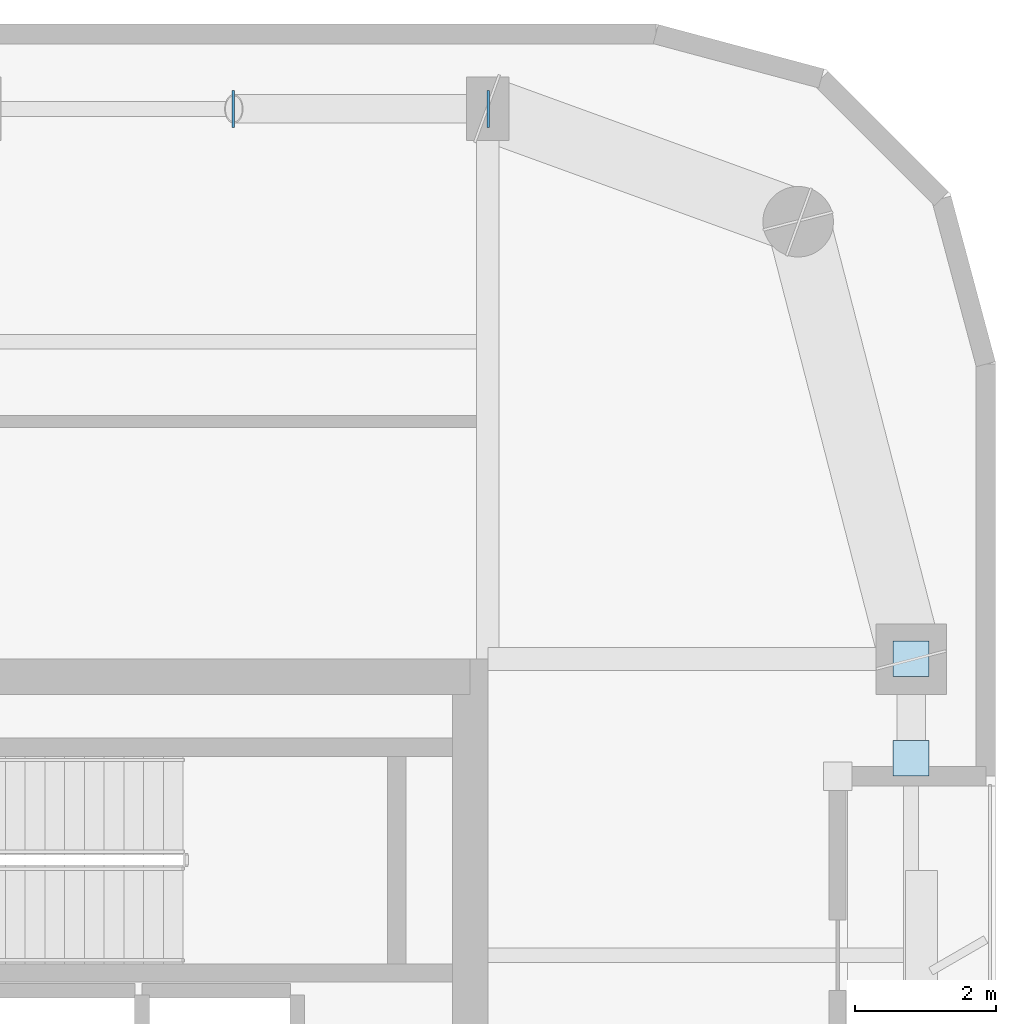
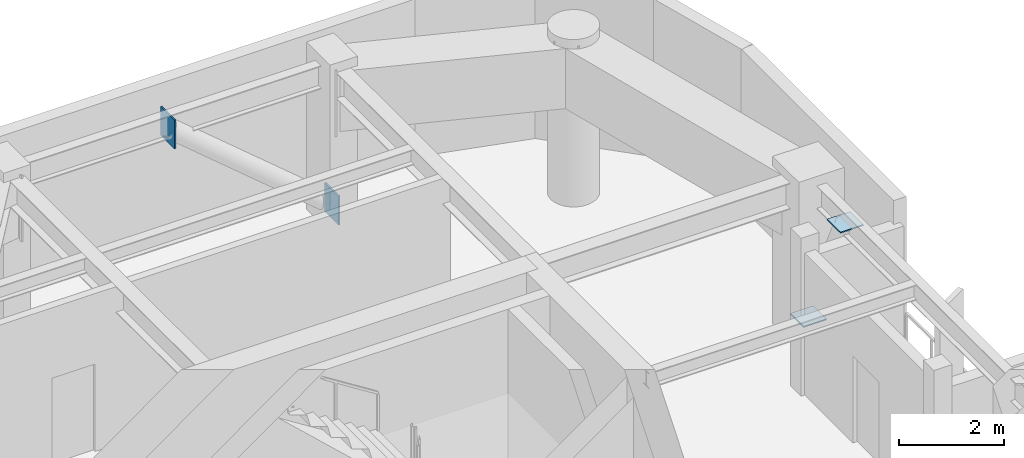
# One storey, part 9 of 15: 4 plates.
"""IFC4 building model written with IfcOpenShell, lengths in metres."""

from ifc_helpers import new_model, si_unit, direction, frame, origin, origin_2d, place, context, subcontext, project, spatial, rectangle, extrude, material, layer, layer_set, type_object, element, save


model = new_model("IFC4")

# Units and contexts
model_context = context("Model", 3, precision=1e-05, world=origin(), true_north=direction((0.0, 1.0)))
body_context = subcontext(model_context, "Body", "Model", "MODEL_VIEW")
ifc_project = project(units=[si_unit("LENGTHUNIT", "METRE"), si_unit("AREAUNIT", "SQUARE_METRE"), si_unit("VOLUMEUNIT", "CUBIC_METRE"), si_unit("PLANEANGLEUNIT", "RADIAN"), si_unit("MASSUNIT", "GRAM", prefix="KILO")], contexts=[model_context])

# Site, building, storey
site_placement = place(None, origin())
site = spatial("IfcSite", under=ifc_project, at=site_placement, CompositionType="ELEMENT")
building_placement = place(site_placement, origin())
building = spatial("IfcBuilding", under=site, at=building_placement, Name="Kiyonajd Concourse Tower", CompositionType="ELEMENT")
storey_placement = place(building_placement, frame((0.0, 0.0, 286.199951171875)))
storey = spatial("IfcBuildingStorey", under=building, at=storey_placement, Name="L72", CompositionType="ELEMENT", Elevation=286.199951171875)

# Plates
ifc_material = material(Name="Steel ASTM A572 Grade 50", Category="steel")
ifc_layer = layer(ifc_material, 0.028076171875)
ifc_layer_set = layer_set([ifc_layer], Name="Steel ASTM A572 Grade 50")
plate_type = type_object("IfcPlateType", Name="PL-CAP-450", PredefinedType="USERDEFINED", material=ifc_layer_set)
for number, where, z_axis, x_axis, name in (
    (1, (63.6083984375, 52.199951171875, -0.04248046875), (0.0, 0.0, 1.0), (1.0, 0.0, 0.0), "L72 Hollow Brace End Cap Plate PBN"),
    (2, (59.99169921875, 52.199951171875, 3.001708984375), (0.0, 0.0, 1.0), (-1.0, 0.0, 0.0), "L72 Hollow Brace Top Cap Plate PBN"),
):
    element("IfcPlate", number, at=place(storey_placement, frame(where, z_axis=z_axis, x_axis=x_axis)), inside=storey, type_object=plate_type, Name=name, ObjectType="CAP PLATE", PredefinedType="USERDEFINED", context=body_context, shape_type="SweptSolid", body=[
        extrude(rectangle(XDim=0.035888671875, YDim=0.52587890625, at=origin_2d()), origin(), (0.0, 0.0, 1.0), 0.6708984375),
    ])
for number, where, z_axis, x_axis, name in (
    (3, (69.60009765625, 44.404541015625, 0.27587890625), (0.0, 0.0, 1.0), (1.0, 0.0, 0.0), "L72 Hollow Brace End Cap Plate PBE"),
    (4, (69.60009765625, 42.995361328125, 3.326171875), (0.0, 0.0, 1.0), (1.0, 0.0, 0.0), "L72 Hollow Brace Top Cap Plate PBE"),
):
    element("IfcPlate", number, at=place(storey_placement, frame(where, z_axis=z_axis, x_axis=x_axis)), inside=storey, type_object=plate_type, Name=name, ObjectType="CAP PLATE", PredefinedType="USERDEFINED", context=body_context, shape_type="SweptSolid", body=[
        extrude(rectangle(XDim=0.506103515625, YDim=0.506103515625, at=origin_2d()), origin(), (0.0, 0.0, 1.0), 0.028076171875),
    ])

save(model, "model.ifc")
